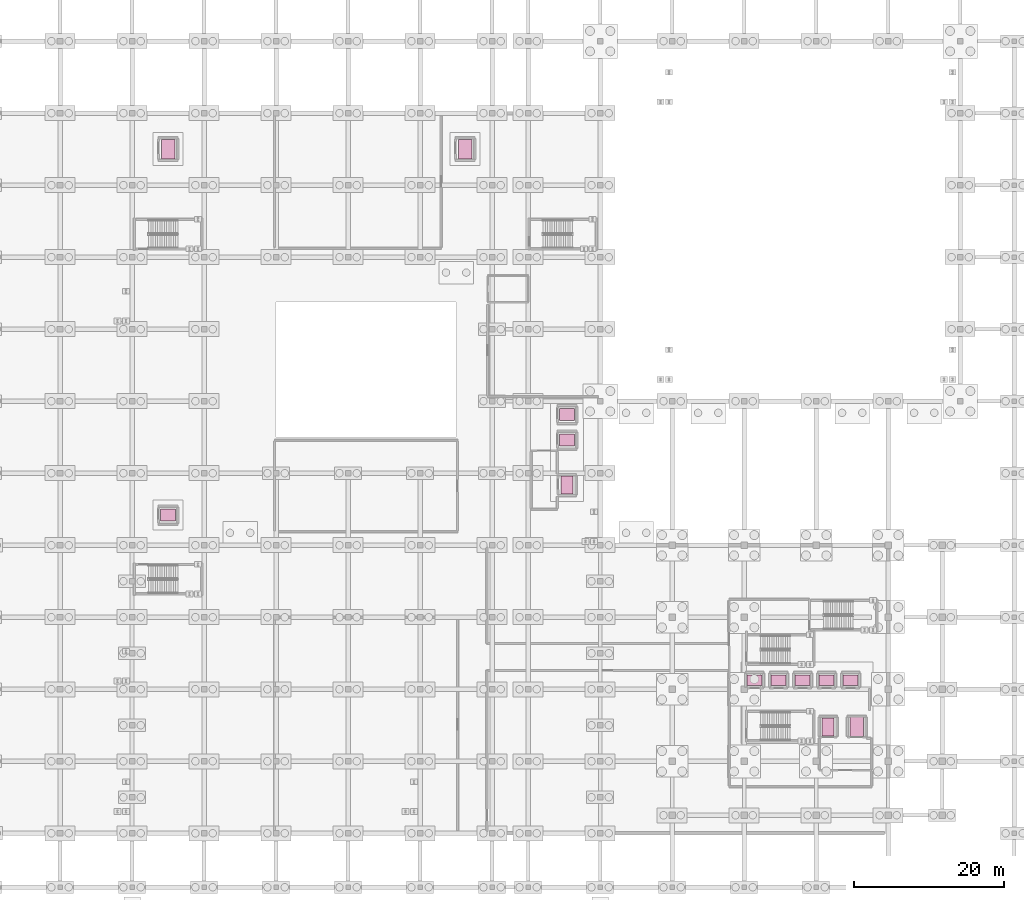
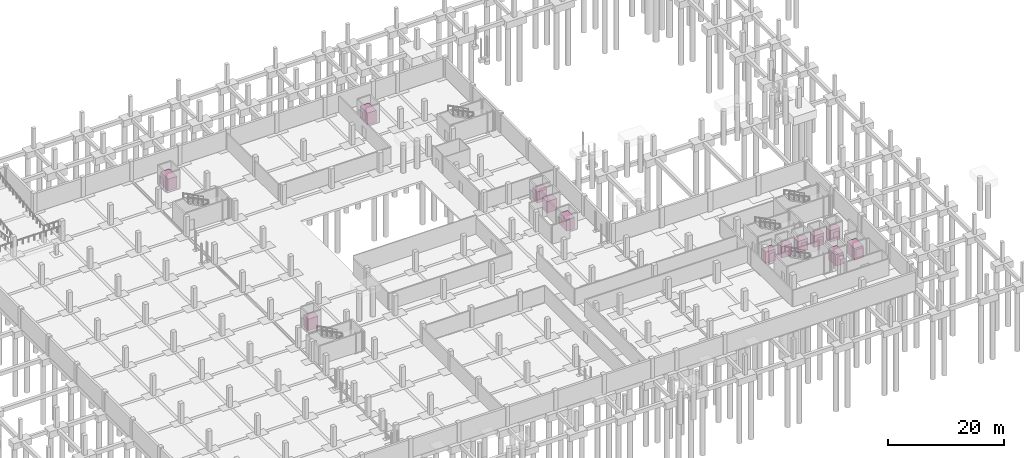
# One storey, part 54 of 54: 13 transport elements.
"""IFC4 building model written with IfcOpenShell, lengths in metres."""

from ifc_helpers import new_model, si_unit, direction, frame, origin, origin_2d, place, context, subcontext, project, spatial, rectangle, extrude, material, type_object, element, save


model = new_model("IFC4")

# Units and contexts
model_context = context("Model", 3, precision=1e-05, world=origin(), true_north=direction((0.0, 1.0)))
body_context = subcontext(model_context, "Body", "Model", "MODEL_VIEW")
ifc_project = project(units=[si_unit("LENGTHUNIT", "METRE"), si_unit("AREAUNIT", "SQUARE_METRE"), si_unit("VOLUMEUNIT", "CUBIC_METRE"), si_unit("PLANEANGLEUNIT", "RADIAN"), si_unit("MASSUNIT", "GRAM", prefix="KILO")], contexts=[model_context])

# Site, building, storey
site_placement = place(None, origin())
site = spatial("IfcSite", under=ifc_project, at=site_placement, CompositionType="ELEMENT")
building_placement = place(site_placement, origin())
building = spatial("IfcBuilding", under=site, at=building_placement, Name="Zevrakil Square Congress Hotel", CompositionType="ELEMENT")
storey_placement = place(building_placement, frame((0.0, 0.0, -8.39990234375)))
storey = spatial("IfcBuildingStorey", under=building, at=storey_placement, Name="B2", CompositionType="ELEMENT", Elevation=-8.39990234375)

# Transport elements
ifc_material_1 = material(Name="Stainless Steel Lift Car Assembly", Category="steel")
transport_element_type_1 = type_object("IfcTransportElementType", Name="LFT-FIRE-160x240", PredefinedType="ELEVATOR", material=ifc_material_1)
transport_element_1_placement = place(storey_placement, frame((148.0, 21.39990234375, 0.0), z_axis=(0.0, 0.0, 1.0), x_axis=(1.0, 0.0, 0.0)))
element("IfcTransportElement", 1, at=transport_element_1_placement, inside=storey, type_object=transport_element_type_1, Name="Lift FFL1 (Firefighting Lifts)", PredefinedType="ELEVATOR", context=body_context, shape_type="SweptSolid", body=[
    extrude(rectangle(XDim=1.60009765625, YDim=2.39990234375, at=origin_2d()), origin(), (0.0, 0.0, 1.0), 2.39990234375),
])
ifc_material_2 = material(Name="Stainless Steel Lift Car Assembly", Category="steel")
transport_element_type_2 = type_object("IfcTransportElementType", Name="LFT-GOODS-180x260", PredefinedType="ELEVATOR", material=ifc_material_2)
for number, where, z_axis, x_axis, name in (
    (2, (151.800048828125, 21.39990234375, 0.0), (0.0, 0.0, 1.0), (1.0, 0.0, 0.0), "Lift SL1 (Service Goods Bank)"),
    (3, (60.0, 98.39990234375, 0.0), (0.0, 0.0, 1.0), (1.0, 0.0, 0.0), "Lift SL2 (Service Goods Bank)"),
    (4, (99.60009765625, 98.39990234375, 0.0), (0.0, 0.0, 1.0), (1.0, 0.0, 0.0), "Lift SL3 (Service Goods Bank)"),
):
    element("IfcTransportElement", number, at=place(storey_placement, frame(where, z_axis=z_axis, x_axis=x_axis)), inside=storey, type_object=transport_element_type_2, Name=name, PredefinedType="ELEVATOR", context=body_context, shape_type="SweptSolid", body=[
        extrude(rectangle(XDim=1.800048828125, YDim=2.60009765625, at=origin_2d()), origin(), (0.0, 0.0, 1.0), 2.5),
    ])
ifc_material_3 = material(Name="Stainless Steel Lift Car Assembly", Category="steel")
transport_element_type_3 = type_object("IfcTransportElementType", Name="LFT-PASS-200x140", PredefinedType="ELEVATOR", material=ifc_material_3)
for number, where, z_axis, x_axis, name in (
    (5, (138.199951171875, 27.60009765625, 0.0), (0.0, 0.0, 1.0), (1.0, 0.0, 0.0), "Lift HL1 (Hotel Guest Bank A)"),
    (6, (141.39990234375, 27.60009765625, 0.0), (0.0, 0.0, 1.0), (1.0, 0.0, 0.0), "Lift HL2 (Hotel Guest Bank A)"),
    (7, (144.60009765625, 27.60009765625, 0.0), (0.0, 0.0, 1.0), (1.0, 0.0, 0.0), "Lift HL3 (Hotel Guest Bank A)"),
    (8, (147.800048828125, 27.60009765625, 0.0), (0.0, 0.0, 1.0), (1.0, 0.0, 0.0), "Lift HL4 (Hotel Guest Bank B)"),
    (9, (151.0, 27.60009765625, 0.0), (0.0, 0.0, 1.0), (1.0, 0.0, 0.0), "Lift HL5 (Hotel Guest Bank B)"),
):
    element("IfcTransportElement", number, at=place(storey_placement, frame(where, z_axis=z_axis, x_axis=x_axis)), inside=storey, type_object=transport_element_type_3, Name=name, PredefinedType="ELEVATOR", context=body_context, shape_type="SweptSolid", body=[
        extrude(rectangle(XDim=2.0, YDim=1.39990234375, at=origin_2d()), origin(), (0.0, 0.0, 1.0), 2.39990234375),
    ])
ifc_material_4 = material(Name="Stainless Steel Lift Car Assembly", Category="steel")
transport_element_type_4 = type_object("IfcTransportElementType", Name="LFT-SHUT-200x160", PredefinedType="ELEVATOR", material=ifc_material_4)
transport_element_2_placement = place(storey_placement, frame((113.199951171875, 53.60009765625, 0.0), z_axis=(0.0, 0.0, 1.0), x_axis=(1.0, 0.0, 0.0)))
element("IfcTransportElement", 10, at=transport_element_2_placement, inside=storey, type_object=transport_element_type_4, Name="Lift FFL2 (Congress Evacuation Lift)", PredefinedType="ELEVATOR", context=body_context, shape_type="SweptSolid", body=[
    extrude(rectangle(XDim=1.60009765625, YDim=2.39990234375, at=origin_2d()), origin(), (0.0, 0.0, 1.0), 2.39990234375),
])
for number, where, z_axis, x_axis, name in (
    (11, (113.199951171875, 59.60009765625, 0.0), (0.0, 0.0, 1.0), (1.0, 0.0, 0.0), "Lift CL1 (Congress Shuttle Bank)"),
    (12, (113.199951171875, 63.0, 0.0), (0.0, 0.0, 1.0), (1.0, 0.0, 0.0), "Lift CL2 (Congress Shuttle Bank)"),
    (13, (60.0, 49.60009765625, 0.0), (0.0, 0.0, 1.0), (1.0, 0.0, 0.0), "Lift CL3 (Congress Shuttle Bank)"),
):
    element("IfcTransportElement", number, at=place(storey_placement, frame(where, z_axis=z_axis, x_axis=x_axis)), inside=storey, type_object=transport_element_type_4, Name=name, PredefinedType="ELEVATOR", context=body_context, shape_type="SweptSolid", body=[
        extrude(rectangle(XDim=2.0, YDim=1.60009765625, at=origin_2d()), origin(), (0.0, 0.0, 1.0), 2.39990234375),
    ])

save(model, "model.ifc")
